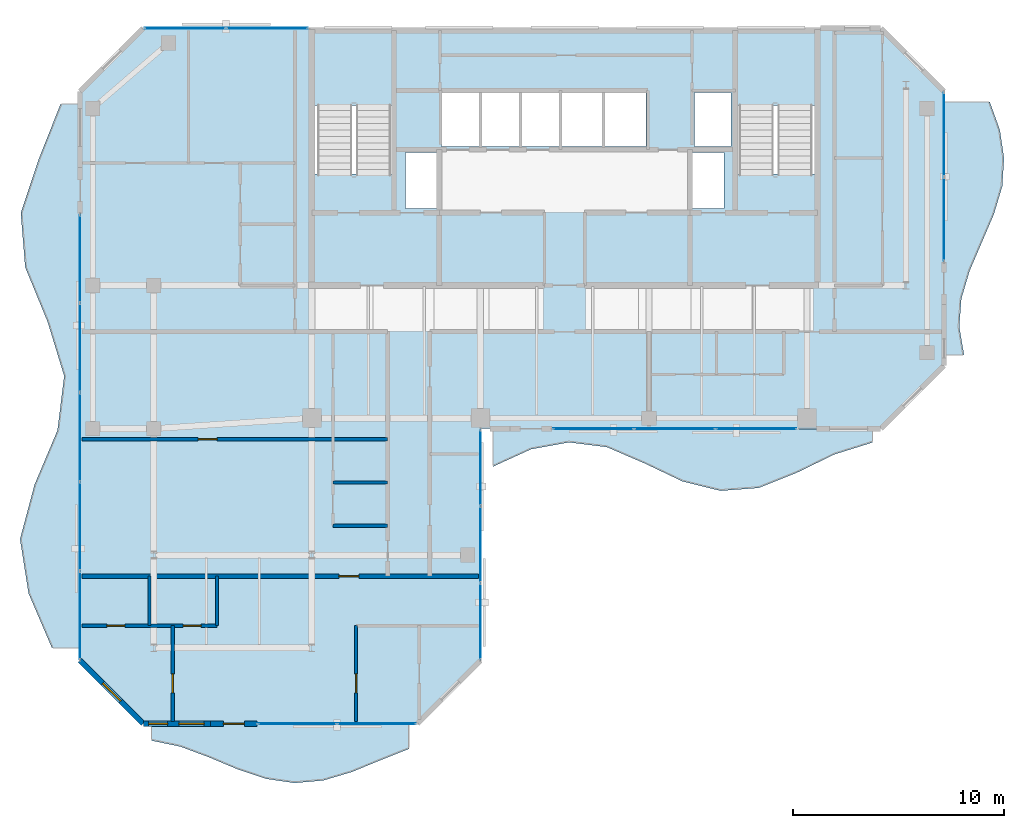
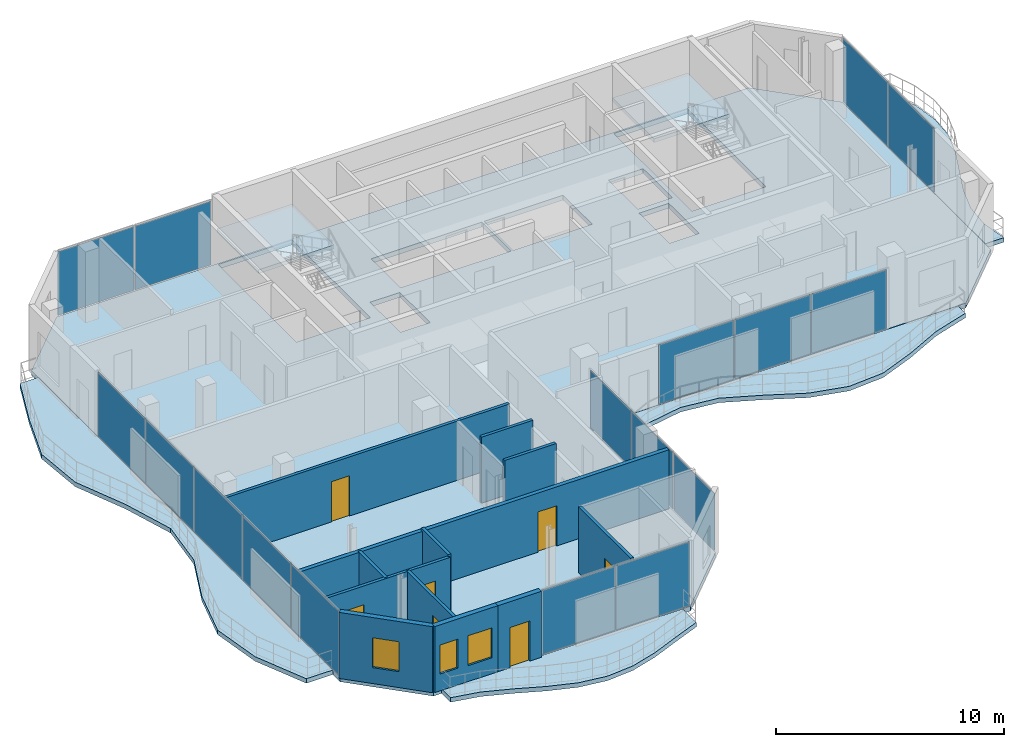
# One storey, part 17 of 22: 17 plates, 12 walls, 7 doors, 7 slabs, 3 windows, 10 openings, 8 elements without a shape of their own.
"""IFC4 building model written with IfcOpenShell, lengths in metres."""

from ifc_helpers import new_model, si_unit, direction, frame, frame_2d, origin, origin_2d, place, context, subcontext, project, spatial, polyline, rectangle, outline, extrude, material, layer, layer_set, type_object, element, fill, aggregate, save


model = new_model("IFC4")

# Units and contexts
model_context = context("Model", 3, precision=1e-05, world=origin(), true_north=direction((0.0, 1.0)))
body_context = subcontext(model_context, "Body", "Model", "MODEL_VIEW")
ifc_project = project(units=[si_unit("LENGTHUNIT", "METRE"), si_unit("AREAUNIT", "SQUARE_METRE"), si_unit("VOLUMEUNIT", "CUBIC_METRE"), si_unit("PLANEANGLEUNIT", "RADIAN"), si_unit("MASSUNIT", "GRAM", prefix="KILO")], contexts=[model_context])

# Site, building, storey
site_placement = place(None, origin())
site = spatial("IfcSite", under=ifc_project, at=site_placement, CompositionType="ELEMENT")
building_placement = place(site_placement, origin())
building = spatial("IfcBuilding", under=site, at=building_placement, Name="Catumbela Crestline Tower", CompositionType="ELEMENT")
storey_placement = place(building_placement, frame((0.0, 0.0, 256.4)))
storey = spatial("IfcBuildingStorey", under=building, at=storey_placement, Name="L66", CompositionType="ELEMENT", Elevation=256.4)

# Curtain wall, plates
ifc_material_1 = material(Name="Aluminium alloy AW-6060-T66", Category="aluminium")
ifc_layer_1 = layer(ifc_material_1, 0.18, Name="Aluminium alloy AW-6060-T66")
ifc_layer_set_1 = layer_set([ifc_layer_1], Name="Aluminium alloy AW-6060-T66")
curtain_wall_type = type_object("IfcCurtainWallType", Name="CWU-Z4", PredefinedType="USERDEFINED", material=ifc_layer_set_1)
curtain_wall_1_placement = place(storey_placement, origin())
curtain_wall_1 = element("IfcCurtainWall", 1, at=curtain_wall_1_placement, inside=storey, type_object=curtain_wall_type, Name="L66 Unitised Curtain Wall CW-L66-E0S2", ObjectType="UNITISED", PredefinedType="USERDEFINED")
ifc_material_2 = material(Name="Low-E laminated solar-control double glazing", Category="glass")
ifc_layer_2 = layer(ifc_material_2, 0.036, Name="Low-E laminated solar-control double glazing")
ifc_layer_set_2 = layer_set([ifc_layer_2], Name="Low-E laminated solar-control double glazing")
plate_type = type_object("IfcPlateType", Name="PNL-GLZ-Z4", PredefinedType="CURTAIN_PANEL", material=ifc_layer_set_2)
plate_1_placement = place(storey_placement, frame((15.3162, 10.0, 0.06), z_axis=(0.0, 0.0, 1.0), x_axis=(1.0, 0.0, 0.0)))
plate_1 = element("IfcPlate", 2, at=plate_1_placement, type_object=plate_type, Name="CWU-Z4 panel 1.1", PredefinedType="CURTAIN_PANEL", context=body_context, shape_type="SweptSolid", body=[
    extrude(rectangle(XDim=3.7025, YDim=0.034, at=origin_2d()), origin(), (0.0, 0.0, 1.0), 3.41),
])
plate_2_placement = place(storey_placement, frame((19.0837, 10.0, 0.06), z_axis=(0.0, 0.0, 1.0), x_axis=(1.0, 0.0, 0.0)))
plate_2 = element("IfcPlate", 3, at=plate_2_placement, type_object=plate_type, Name="CWU-Z4 panel 2.1", PredefinedType="CURTAIN_PANEL", context=body_context, shape_type="SweptSolid", body=[
    extrude(rectangle(XDim=3.7025, YDim=0.034, at=origin_2d()), origin(), (0.0, 0.0, 1.0), 3.41),
])
aggregate(curtain_wall_1, [plate_1, plate_2])

curtain_wall_2_placement = place(storey_placement, origin())
curtain_wall_2 = element("IfcCurtainWall", 4, at=curtain_wall_2_placement, inside=storey, type_object=curtain_wall_type, Name="L66 Unitised Curtain Wall CW-L66-E2S1", ObjectType="UNITISED", PredefinedType="USERDEFINED")
plate_3_placement = place(storey_placement, frame((24.0, 14.8496, 0.06), z_axis=(0.0, 0.0, 1.0), x_axis=(0.0, 1.0, 0.0)))
plate_3 = element("IfcPlate", 5, at=plate_3_placement, type_object=plate_type, Name="CWU-Z4 panel 1.1", PredefinedType="CURTAIN_PANEL", context=body_context, shape_type="SweptSolid", body=[
    extrude(rectangle(XDim=3.5692, YDim=0.034, at=origin_2d()), origin(), (0.0, 0.0, 1.0), 3.04),
])
plate_4_placement = place(storey_placement, frame((24.0, 18.5, 0.06), z_axis=(0.0, 0.0, 1.0), x_axis=(0.0, 1.0, 0.0)))
plate_4 = element("IfcPlate", 6, at=plate_4_placement, type_object=plate_type, Name="CWU-Z4 panel 2.1", PredefinedType="CURTAIN_PANEL", context=body_context, shape_type="SweptSolid", body=[
    extrude(rectangle(XDim=3.6017, YDim=0.034, at=origin_2d()), origin(), (0.0, 0.0, 1.0), 3.04),
])
plate_5_placement = place(storey_placement, frame((24.0, 22.1504, 0.06), z_axis=(0.0, 0.0, 1.0), x_axis=(0.0, 1.0, 0.0)))
plate_5 = element("IfcPlate", 7, at=plate_5_placement, type_object=plate_type, Name="CWU-Z4 panel 3.1", PredefinedType="CURTAIN_PANEL", context=body_context, shape_type="SweptSolid", body=[
    extrude(rectangle(XDim=3.5692, YDim=0.034, at=origin_2d()), origin(), (0.0, 0.0, 1.0), 3.04),
])
aggregate(curtain_wall_2, [plate_3, plate_4, plate_5])

curtain_wall_3_placement = place(storey_placement, origin())
curtain_wall_3 = element("IfcCurtainWall", 8, at=curtain_wall_3_placement, inside=storey, type_object=curtain_wall_type, Name="L66 Unitised Curtain Wall CW-L66-E3S2", ObjectType="UNITISED", PredefinedType="USERDEFINED")
plate_6_placement = place(storey_placement, frame((29.3579, 24.0, 0.06), z_axis=(0.0, 0.0, 1.0), x_axis=(1.0, 0.0, 0.0)))
plate_6 = element("IfcPlate", 9, at=plate_6_placement, type_object=plate_type, Name="CWU-Z4 panel 1.1", PredefinedType="CURTAIN_PANEL", context=body_context, shape_type="SweptSolid", body=[
    extrude(rectangle(XDim=3.7858, YDim=0.034, at=origin_2d()), origin(), (0.0, 0.0, 1.0), 3.15),
])
plate_7_placement = place(storey_placement, frame((33.225, 24.0, 0.06), z_axis=(0.0, 0.0, 1.0), x_axis=(1.0, 0.0, 0.0)))
plate_7 = element("IfcPlate", 10, at=plate_7_placement, type_object=plate_type, Name="CWU-Z4 panel 2.1", PredefinedType="CURTAIN_PANEL", context=body_context, shape_type="SweptSolid", body=[
    extrude(rectangle(XDim=3.8183, YDim=0.034, at=origin_2d()), origin(), (0.0, 0.0, 1.0), 3.15),
])
plate_8_placement = place(storey_placement, frame((37.0921, 24.0, 0.06), z_axis=(0.0, 0.0, 1.0), x_axis=(1.0, 0.0, 0.0)))
plate_8 = element("IfcPlate", 11, at=plate_8_placement, type_object=plate_type, Name="CWU-Z4 panel 3.1", PredefinedType="CURTAIN_PANEL", context=body_context, shape_type="SweptSolid", body=[
    extrude(rectangle(XDim=3.7858, YDim=0.034, at=origin_2d()), origin(), (0.0, 0.0, 1.0), 3.15),
])
aggregate(curtain_wall_3, [plate_6, plate_7, plate_8])

curtain_wall_4_placement = place(storey_placement, origin())
curtain_wall_4 = element("IfcCurtainWall", 12, at=curtain_wall_4_placement, inside=storey, type_object=curtain_wall_type, Name="L66 Unitised Curtain Wall CW-L66-E5S2", ObjectType="UNITISED", PredefinedType="USERDEFINED")
plate_9_placement = place(storey_placement, frame((46.0, 33.9412, 0.06), z_axis=(0.0, 0.0, 1.0), x_axis=(0.0, 1.0, 0.0)))
plate_9 = element("IfcPlate", 13, at=plate_9_placement, type_object=plate_type, Name="CWU-Z4 panel 1.1", PredefinedType="CURTAIN_PANEL", context=body_context, shape_type="SweptSolid", body=[
    extrude(rectangle(XDim=3.9525, YDim=0.034, at=origin_2d()), origin(), (0.0, 0.0, 1.0), 3.41),
])
plate_10_placement = place(storey_placement, frame((46.0, 37.9588, 0.06), z_axis=(0.0, 0.0, 1.0), x_axis=(0.0, 1.0, 0.0)))
plate_10 = element("IfcPlate", 14, at=plate_10_placement, type_object=plate_type, Name="CWU-Z4 panel 2.1", PredefinedType="CURTAIN_PANEL", context=body_context, shape_type="SweptSolid", body=[
    extrude(rectangle(XDim=3.9525, YDim=0.034, at=origin_2d()), origin(), (0.0, 0.0, 1.0), 3.41),
])
aggregate(curtain_wall_4, [plate_9, plate_10])

curtain_wall_5_placement = place(storey_placement, origin())
curtain_wall_5 = element("IfcCurtainWall", 15, at=curtain_wall_5_placement, inside=storey, type_object=curtain_wall_type, Name="L66 Unitised Curtain Wall CW-L66-E7S2", ObjectType="UNITISED", PredefinedType="USERDEFINED")
plate_11_placement = place(storey_placement, frame((13.8788, 43.0, 0.06), z_axis=(0.0, 0.0, 1.0), x_axis=(-1.0, 0.0, 0.0)))
plate_11 = element("IfcPlate", 16, at=plate_11_placement, type_object=plate_type, Name="CWU-Z4 panel 1.1", PredefinedType="CURTAIN_PANEL", context=body_context, shape_type="SweptSolid", body=[
    extrude(rectangle(XDim=3.8325, YDim=0.034, at=origin_2d()), origin(), (0.0, 0.0, 1.0), 3.41),
])
plate_12_placement = place(storey_placement, frame((9.9812, 43.0, 0.06), z_axis=(0.0, 0.0, 1.0), x_axis=(-1.0, 0.0, 0.0)))
plate_12 = element("IfcPlate", 17, at=plate_12_placement, type_object=plate_type, Name="CWU-Z4 panel 2.1", PredefinedType="CURTAIN_PANEL", context=body_context, shape_type="SweptSolid", body=[
    extrude(rectangle(XDim=3.8325, YDim=0.034, at=origin_2d()), origin(), (0.0, 0.0, 1.0), 3.41),
])
aggregate(curtain_wall_5, [plate_11, plate_12])

curtain_wall_6_placement = place(storey_placement, origin())
curtain_wall_6 = element("IfcCurtainWall", 18, at=curtain_wall_6_placement, inside=storey, type_object=curtain_wall_type, Name="L66 Unitised Curtain Wall CW-L66-E9S2", ObjectType="UNITISED", PredefinedType="USERDEFINED")
plate_13_placement = place(storey_placement, frame((5.0, 32.0638, 0.06), z_axis=(0.0, 0.0, 1.0), x_axis=(0.0, -1.0, 0.0)))
plate_13 = element("IfcPlate", 19, at=plate_13_placement, type_object=plate_type, Name="CWU-Z4 panel 1.1", PredefinedType="CURTAIN_PANEL", context=body_context, shape_type="SweptSolid", body=[
    extrude(rectangle(XDim=4.1425, YDim=0.034, at=origin_2d()), origin(), (0.0, 0.0, 1.0), 3.41),
])
plate_14_placement = place(storey_placement, frame((5.0, 27.84, 0.06), z_axis=(0.0, 0.0, 1.0), x_axis=(0.0, -1.0, 0.0)))
plate_14 = element("IfcPlate", 20, at=plate_14_placement, type_object=plate_type, Name="CWU-Z4 panel 2.1", PredefinedType="CURTAIN_PANEL", context=body_context, shape_type="SweptSolid", body=[
    extrude(rectangle(XDim=4.175, YDim=0.034, at=origin_2d()), origin(), (0.0, 0.0, 1.0), 3.41),
])
plate_15_placement = place(storey_placement, frame((5.0, 23.6, 0.06), z_axis=(0.0, 0.0, 1.0), x_axis=(0.0, -1.0, 0.0)))
plate_15 = element("IfcPlate", 21, at=plate_15_placement, type_object=plate_type, Name="CWU-Z4 panel 3.1", PredefinedType="CURTAIN_PANEL", context=body_context, shape_type="SweptSolid", body=[
    extrude(rectangle(XDim=4.175, YDim=0.034, at=origin_2d()), origin(), (0.0, 0.0, 1.0), 3.41),
])
plate_16_placement = place(storey_placement, frame((5.0, 19.36, 0.06), z_axis=(0.0, 0.0, 1.0), x_axis=(0.0, -1.0, 0.0)))
plate_16 = element("IfcPlate", 22, at=plate_16_placement, type_object=plate_type, Name="CWU-Z4 panel 4.1", PredefinedType="CURTAIN_PANEL", context=body_context, shape_type="SweptSolid", body=[
    extrude(rectangle(XDim=4.175, YDim=0.034, at=origin_2d()), origin(), (0.0, 0.0, 1.0), 3.41),
])
plate_17_placement = place(storey_placement, frame((5.0, 15.1362, 0.06), z_axis=(0.0, 0.0, 1.0), x_axis=(0.0, -1.0, 0.0)))
plate_17 = element("IfcPlate", 23, at=plate_17_placement, type_object=plate_type, Name="CWU-Z4 panel 5.1", PredefinedType="CURTAIN_PANEL", context=body_context, shape_type="SweptSolid", body=[
    extrude(rectangle(XDim=4.1425, YDim=0.034, at=origin_2d()), origin(), (0.0, 0.0, 1.0), 3.41),
])
aggregate(curtain_wall_6, [plate_13, plate_14, plate_15, plate_16, plate_17])

# Stair, slab
ifc_material_3 = material(Name="Concrete C45/55", Category="concrete")
stair_type = type_object("IfcStairType", Name="ST-DLG", PredefinedType="HALF_TURN_STAIR", material=ifc_material_3)
stair_1_placement = place(storey_placement, origin())
stair_1 = element("IfcStair", 24, at=stair_1_placement, inside=storey, type_object=stair_type, Name="L66 West Core Pressurised Exit Stair ST-01", PredefinedType="HALF_TURN_STAIR")
ifc_layer_3 = layer(ifc_material_3, 0.2, Name="Concrete C45/55")
ifc_layer_set_3 = layer_set([ifc_layer_3], Name="Concrete C45/55")
slab_type_1 = type_object("IfcSlabType", Name="SL-LND", PredefinedType="LANDING", material=ifc_layer_set_3)
slab_1_placement = place(storey_placement, frame((0.0, 0.0, 1.7)))
slab_1 = element("IfcSlab", 25, at=slab_1_placement, type_object=slab_type_1, Name="ST-01 landing 1", PredefinedType="LANDING", context=body_context, shape_type="SweptSolid", body=[
    extrude(outline(polyline([(19.91, 39.33), (19.91, 42.96), (16.09, 42.96), (16.09, 39.33), (19.91, 39.33)])), origin(), (0.0, 0.0, 1.0), 0.2),
])
aggregate(stair_1, [slab_1])

stair_2_placement = place(storey_placement, origin())
stair_2 = element("IfcStair", 26, at=stair_2_placement, inside=storey, type_object=stair_type, Name="L66 East Core Pressurised Exit Stair ST-02", PredefinedType="HALF_TURN_STAIR")
slab_2_placement = place(storey_placement, frame((0.0, 0.0, 1.7)))
slab_2 = element("IfcSlab", 27, at=slab_2_placement, type_object=slab_type_1, Name="ST-02 landing 1", PredefinedType="LANDING", context=body_context, shape_type="SweptSolid", body=[
    extrude(outline(polyline([(39.91, 39.33), (39.91, 42.96), (36.09, 42.96), (36.09, 39.33), (39.91, 39.33)])), origin(), (0.0, 0.0, 1.0), 0.2),
])
aggregate(stair_2, [slab_2])

# Slabs
ifc_layer_4 = layer(ifc_material_3, 0.26, Name="Concrete C45/55")
ifc_layer_set_4 = layer_set([ifc_layer_4], Name="Concrete C45/55")
slab_type_2 = type_object("IfcSlabType", Name="SL-260", PredefinedType="FLOOR", material=ifc_layer_set_4)
slab_3_placement = place(storey_placement, frame((0.0, 0.0, -0.26)))
element("IfcSlab", 28, at=slab_3_placement, inside=storey, type_object=slab_type_2, Name="L66 Structural Floor Slab", PredefinedType="FLOOR", context=body_context, shape_type="SweptSolid", body=[
    extrude(outline(polyline([(8.0, 10.0), (21.0, 10.0), (24.0, 13.0), (24.0, 24.0), (43.0, 24.0), (46.0, 27.0), (46.0, 40.0), (43.0, 43.0), (8.0, 43.0), (5.0, 40.0), (5.0, 13.0), (8.0, 10.0)]), holes=[polyline([(16.13, 36.08), (19.87, 36.08), (19.87, 42.92), (16.13, 42.92), (16.13, 36.08)]), polyline([(36.13, 36.08), (39.87, 36.08), (39.87, 42.92), (36.13, 42.92), (36.13, 36.08)]), polyline([(22.15, 37.4), (27.75, 37.4), (27.75, 39.95), (22.15, 39.95), (22.15, 37.4)]), polyline([(27.85, 37.4), (31.85, 37.4), (31.85, 39.95), (27.85, 39.95), (27.85, 37.4)]), polyline([(20.45, 34.45), (21.95, 34.45), (21.95, 37.1), (20.45, 37.1), (20.45, 34.45)]), polyline([(34.05, 34.45), (35.55, 34.45), (35.55, 37.1), (34.05, 37.1), (34.05, 34.45)]), polyline([(34.15, 37.4), (35.9, 37.4), (35.9, 39.95), (34.15, 39.95), (34.15, 37.4)])]), origin(), (0.0, 0.0, 1.0), 0.26),
])
ifc_layer_5 = layer(ifc_material_3, 0.24, Name="Concrete C45/55")
ifc_layer_set_5 = layer_set([ifc_layer_5], Name="Concrete C45/55")
slab_type_3 = type_object("IfcSlabType", Name="SB-240W", PredefinedType="USERDEFINED", material=ifc_layer_set_5)
slab_4_placement = place(storey_placement, frame((0.0, 0.0, -0.24)))
element("IfcSlab", 29, at=slab_4_placement, inside=storey, type_object=slab_type_3, Name="L66 Cantilevered Wave Balcony Slab SPINE-S", ObjectType="BALCONY", PredefinedType="USERDEFINED", context=body_context, shape_type="SweptSolid", body=[
    extrude(outline(polyline([(24.6, 22.2), (26.4, 23.0215), (28.2, 23.35), (30.0, 23.1246), (31.8, 22.3504), (33.6, 21.4947), (35.4, 21.05), (37.2, 21.1868), (39.0, 21.9016), (40.8, 22.7781), (42.6, 23.3413), (42.6, 23.99), (24.6, 23.99), (24.6, 22.2)])), origin(), (0.0, 0.0, 1.0), 0.24),
])
slab_5_placement = place(storey_placement, frame((0.0, 0.0, -0.24)))
element("IfcSlab", 30, at=slab_5_placement, inside=storey, type_object=slab_type_3, Name="L66 Cantilevered Wave Balcony Slab SPINE-E", ObjectType="BALCONY", PredefinedType="USERDEFINED", context=body_context, shape_type="SweptSolid", body=[
    extrude(outline(polyline([(46.01, 27.5), (46.954, 27.5), (46.7268, 28.8333), (46.8257, 30.1667), (47.2208, 31.5), (47.7918, 32.8333), (48.3654, 34.1667), (48.7671, 35.5), (48.85, 36.8333), (48.6561, 38.1667), (48.1771, 39.5), (46.01, 39.5), (46.01, 27.5)])), origin(), (0.0, 0.0, 1.0), 0.24),
])
slab_6_placement = place(storey_placement, frame((0.0, 0.0, -0.24)))
element("IfcSlab", 31, at=slab_6_placement, inside=storey, type_object=slab_type_3, Name="L66 Cantilevered Wave Balcony Slab WING-S", ObjectType="BALCONY", PredefinedType="USERDEFINED", context=body_context, shape_type="SweptSolid", body=[
    extrude(outline(polyline([(8.4, 9.1933), (9.7556, 8.9128), (11.1111, 8.4086), (12.4667, 7.8389), (13.8222, 7.3826), (15.1778, 7.1827), (16.5333, 7.3022), (17.8889, 7.7034), (19.2444, 8.2605), (20.6, 8.7986), (20.6, 9.99), (8.4, 9.99), (8.4, 9.1933)])), origin(), (0.0, 0.0, 1.0), 0.24),
])
slab_7_placement = place(storey_placement, frame((0.0, 0.0, -0.24)))
element("IfcSlab", 32, at=slab_7_placement, inside=storey, type_object=slab_type_3, Name="L66 Cantilevered Wave Balcony Slab WEST", ObjectType="BALCONY", PredefinedType="USERDEFINED", context=body_context, shape_type="SweptSolid", body=[
    extrude(outline(polyline([(4.99, 39.4), (4.0726, 39.4), (3.0493, 36.82), (2.1855, 34.24), (2.3957, 31.66), (3.4573, 29.08), (4.2465, 26.5), (3.9279, 23.92), (2.8388, 21.34), (2.15, 18.76), (2.5558, 16.18), (3.6616, 13.6), (4.99, 13.6), (4.99, 39.4)])), origin(), (0.0, 0.0, 1.0), 0.24),
])

# Wall, opening, door
ifc_material_4 = material(Name="Angolan grey-ochre granite", Category="masonry")
ifc_layer_6 = layer(ifc_material_4, 0.25, Name="Angolan grey-ochre granite")
ifc_layer_set_6 = layer_set([ifc_layer_6], Name="Angolan grey-ochre granite")
wall_type_1 = type_object("IfcWallType", Name="WE-250", PredefinedType="STANDARD", material=ifc_layer_set_6)
wall_1_placement = place(storey_placement, frame((11.2, 10.0, 0.0), z_axis=(0.0, 0.0, 1.0), x_axis=(1.0, 0.0, 0.0)))
wall_1 = element("IfcWall", 33, at=wall_1_placement, inside=storey, type_object=wall_type_1, Name="L66 Exterior Threshold Portal Wall DR-L66-WBAL-3", PredefinedType="STANDARD", context=body_context, shape_type="SweptSolid", body=[
    extrude(rectangle(XDim=2.2, YDim=0.25, at=frame_2d((1.1, 0.0))), origin(), (0.0, 0.0, 1.0), 3.53),
])
opening_1_placement = place(wall_1_placement, frame((0.6, 0.0, 0.0)))
opening_1 = element("IfcOpeningElement", 34, at=opening_1_placement, cuts=wall_1, Name="Opening DB-L66-3", PredefinedType="OPENING", context=body_context, shape_type="SweptSolid", body=[
    extrude(rectangle(XDim=1.0, YDim=2.15, at=frame_2d((0.5, 1.075))), frame((0.0, 0.135, 0.0), z_axis=(0.0, -1.0, 0.0), x_axis=(1.0, 0.0, 0.0)), (0.0, 0.0, 1.0), 0.27),
])
door_type_1 = type_object("IfcDoorType", Name="DB-1000", OperationType="NOTDEFINED", PredefinedType="DOOR", material=ifc_material_1)
door_1_placement = place(opening_1_placement, origin())
door_1 = element("IfcDoor", 35, at=door_1_placement, inside=storey, type_object=door_type_1, Name="L66 Wave Balcony Terrace Door 3", OperationType="SINGLE_SWING_RIGHT", OverallHeight=2.15, OverallWidth=1.0, PredefinedType="DOOR", context=body_context, shape_type="SweptSolid", body=[
    extrude(rectangle(XDim=1.0, YDim=2.15, at=frame_2d((0.5, 1.075))), frame((0.0, 0.025, 0.0), z_axis=(0.0, -1.0, 0.0), x_axis=(1.0, 0.0, 0.0)), (0.0, 0.0, 1.0), 0.05),
])
fill(opening_1, door_1)

# Wall, openings, windows
wall_2_placement = place(storey_placement, frame((8.0, 10.0, 0.0), z_axis=(0.0, 0.0, 1.0), x_axis=(1.0, 0.0, 0.0)))
wall_2 = element("IfcWall", 36, at=wall_2_placement, inside=storey, type_object=wall_type_1, Name="L66 Granite Punched Window Wall 0-1", PredefinedType="STANDARD", context=body_context, shape_type="SweptSolid", body=[
    extrude(rectangle(XDim=3.2, YDim=0.25, at=frame_2d((1.6, 0.0))), origin(), (0.0, 0.0, 1.0), 3.53),
])
opening_2_placement = place(wall_2_placement, frame((0.26, 0.0, 0.9)))
opening_2 = element("IfcOpeningElement", 37, at=opening_2_placement, cuts=wall_2, Name="Opening WN-03", PredefinedType="OPENING", context=body_context, shape_type="SweptSolid", body=[
    extrude(rectangle(XDim=0.9, YDim=1.55, at=frame_2d((0.45, 0.775))), frame((0.0, 0.135, 0.0), z_axis=(0.0, -1.0, 0.0), x_axis=(1.0, 0.0, 0.0)), (0.0, 0.0, 1.0), 0.27),
])
opening_3_placement = place(wall_2_placement, frame((1.69, 0.0, 0.85)))
opening_3 = element("IfcOpeningElement", 38, at=opening_3_placement, cuts=wall_2, Name="Opening WN-02", PredefinedType="OPENING", context=body_context, shape_type="SweptSolid", body=[
    extrude(rectangle(XDim=1.2, YDim=1.6, at=frame_2d((0.6, 0.8))), frame((0.0, 0.135, 0.0), z_axis=(0.0, -1.0, 0.0), x_axis=(1.0, 0.0, 0.0)), (0.0, 0.0, 1.0), 0.27),
])
window_type_1 = type_object("IfcWindowType", Name="WO-0900", PartitioningType="SINGLE_PANEL", PredefinedType="WINDOW", material=ifc_material_2)
window_1_placement = place(opening_2_placement, origin())
window_1 = element("IfcWindow", 39, at=window_1_placement, inside=storey, type_object=window_type_1, Name="L66 Facade Vision Window 504", OverallHeight=1.55, OverallWidth=0.9, PartitioningType="SINGLE_PANEL", PredefinedType="WINDOW", context=body_context, shape_type="SweptSolid", body=[
    extrude(rectangle(XDim=0.9, YDim=1.55, at=frame_2d((0.45, 0.775))), frame((0.0, 0.03, 0.0), z_axis=(0.0, -1.0, 0.0), x_axis=(1.0, 0.0, 0.0)), (0.0, 0.0, 1.0), 0.06),
])
fill(opening_2, window_1)
window_type_2 = type_object("IfcWindowType", Name="WO-1200", PartitioningType="SINGLE_PANEL", PredefinedType="WINDOW", material=ifc_material_2)
window_2_placement = place(opening_3_placement, origin())
window_2 = element("IfcWindow", 40, at=window_2_placement, inside=storey, type_object=window_type_2, Name="L66 Facade Vision Window 505", OverallHeight=1.6, OverallWidth=1.2, PartitioningType="SINGLE_PANEL", PredefinedType="WINDOW", context=body_context, shape_type="SweptSolid", body=[
    extrude(rectangle(XDim=1.2, YDim=1.6, at=frame_2d((0.6, 0.8))), frame((0.0, 0.03, 0.0), z_axis=(0.0, -1.0, 0.0), x_axis=(1.0, 0.0, 0.0)), (0.0, 0.0, 1.0), 0.06),
])
fill(opening_3, window_2)

# Wall, opening, window
wall_3_placement = place(storey_placement, frame((5.0, 13.0, 0.0), z_axis=(0.0, 0.0, 1.0), x_axis=(0.707106781187, -0.707106781187, 0.0)))
wall_3 = element("IfcWall", 41, at=wall_3_placement, inside=storey, type_object=wall_type_1, Name="L66 Granite Punched Window Wall 10-1", PredefinedType="STANDARD", context=body_context, shape_type="SweptSolid", body=[
    extrude(rectangle(XDim=4.2426, YDim=0.25, at=frame_2d((2.1213, 0.0))), origin(), (0.0, 0.0, 1.0), 3.53),
])
opening_4_placement = place(wall_3_placement, frame((1.5213, 0.0, 0.85)))
opening_4 = element("IfcOpeningElement", 42, at=opening_4_placement, cuts=wall_3, Name="Opening WN-02", PredefinedType="OPENING", context=body_context, shape_type="SweptSolid", body=[
    extrude(rectangle(XDim=1.2, YDim=1.6, at=frame_2d((0.6, 0.8))), frame((0.0, 0.135, 0.0), z_axis=(0.0, -1.0, 0.0), x_axis=(1.0, 0.0, 0.0)), (0.0, 0.0, 1.0), 0.27),
])
window_3_placement = place(opening_4_placement, origin())
window_3 = element("IfcWindow", 43, at=window_3_placement, inside=storey, type_object=window_type_2, Name="L66 Facade Vision Window 514", OverallHeight=1.6, OverallWidth=1.2, PartitioningType="SINGLE_PANEL", PredefinedType="WINDOW", context=body_context, shape_type="SweptSolid", body=[
    extrude(rectangle(XDim=1.2, YDim=1.6, at=frame_2d((0.6, 0.8))), frame((0.0, 0.03, 0.0), z_axis=(0.0, -1.0, 0.0), x_axis=(1.0, 0.0, 0.0)), (0.0, 0.0, 1.0), 0.06),
])
fill(opening_4, window_3)

# Walls
ifc_material_5 = material(Name="Acoustic gypsum and mineral-wool partition")
ifc_layer_7 = layer(ifc_material_5, 0.15, Name="Acoustic gypsum and mineral-wool partition")
ifc_layer_set_7 = layer_set([ifc_layer_7], Name="Acoustic gypsum and mineral-wool partition")
wall_type_2 = type_object("IfcWallType", Name="WP-150", PredefinedType="PARTITIONING", material=ifc_layer_set_7)
for number, where, z_axis, x_axis, name in (
    (44, (17.0, 19.396, 0.0), (0.0, 0.0, 1.0), (1.0, 0.0, 0.0), "L66 Interior Partition PW-L66-WL1-KBS"),
    (45, (17.0, 21.446, 0.0), (0.0, 0.0, 1.0), (1.0, 0.0, 0.0), "L66 Interior Partition PW-L66-WL1-KBM"),
):
    element("IfcWall", number, at=place(storey_placement, frame(where, z_axis=z_axis, x_axis=x_axis)), inside=storey, type_object=wall_type_2, Name=name, PredefinedType="PARTITIONING", context=body_context, shape_type="SweptSolid", body=[
        extrude(rectangle(XDim=2.6, YDim=0.15, at=frame_2d((1.3, 0.0))), origin(), (0.0, 0.0, 1.0), 3.53),
    ])

# Wall, opening, door
wall_4_placement = place(storey_placement, frame((5.1, 23.496, 0.0), z_axis=(0.0, 0.0, 1.0), x_axis=(1.0, 0.0, 0.0)))
wall_4 = element("IfcWall", 46, at=wall_4_placement, inside=storey, type_object=wall_type_2, Name="L66 Interior Partition PW-L66-WL1-KBN", PredefinedType="PARTITIONING", context=body_context, shape_type="SweptSolid", body=[
    extrude(rectangle(XDim=14.5, YDim=0.15, at=frame_2d((7.25, 0.0))), origin(), (0.0, 0.0, 1.0), 3.16),
])
opening_5_placement = place(wall_4_placement, frame((5.5, 0.0, 0.0)))
opening_5 = element("IfcOpeningElement", 47, at=opening_5_placement, cuts=wall_4, Name="Opening DI-090", PredefinedType="OPENING", context=body_context, shape_type="SweptSolid", body=[
    extrude(rectangle(XDim=0.9, YDim=2.15, at=frame_2d((0.45, 1.075))), frame((0.0, 0.085, 0.0), z_axis=(0.0, -1.0, 0.0), x_axis=(1.0, 0.0, 0.0)), (0.0, 0.0, 1.0), 0.17),
])
door_type_2 = type_object("IfcDoorType", Name="DI-090", OperationType="NOTDEFINED", PredefinedType="DOOR", material=ifc_material_1)
door_2_placement = place(opening_5_placement, origin())
door_2 = element("IfcDoor", 48, at=door_2_placement, inside=storey, type_object=door_type_2, Name="L66 Interior Door DR-L66-WL1-BD1", OperationType="SINGLE_SWING_LEFT", OverallHeight=2.15, OverallWidth=0.9, PredefinedType="DOOR", context=body_context, shape_type="SweptSolid", body=[
    extrude(rectangle(XDim=0.9, YDim=2.15, at=frame_2d((0.45, 1.075))), frame((0.0, 0.025, 0.0), z_axis=(0.0, -1.0, 0.0), x_axis=(1.0, 0.0, 0.0)), (0.0, 0.0, 1.0), 0.05),
])
fill(opening_5, door_2)

# Walls
wall_5_placement = place(storey_placement, frame((11.5, 14.65, 0.0), z_axis=(0.0, 0.0, 1.0), x_axis=(0.0, 1.0, 0.0)))
element("IfcWall", 49, at=wall_5_placement, inside=storey, type_object=wall_type_2, Name="L66 Interior Partition PW-L66-SH1-KBE", PredefinedType="PARTITIONING", context=body_context, shape_type="SweptSolid", body=[
    extrude(rectangle(XDim=2.35, YDim=0.15, at=frame_2d((1.175, 0.0))), origin(), (0.0, 0.0, 1.0), 3.28),
])
wall_6_placement = place(storey_placement, frame((8.3, 14.65, 0.0), z_axis=(0.0, 0.0, 1.0), x_axis=(0.0, 1.0, 0.0)))
element("IfcWall", 50, at=wall_6_placement, inside=storey, type_object=wall_type_2, Name="L66 Interior Partition PW-L66-SH1-KBM", PredefinedType="PARTITIONING", context=body_context, shape_type="SweptSolid", body=[
    extrude(rectangle(XDim=2.35, YDim=0.15, at=frame_2d((1.175, 0.0))), origin(), (0.0, 0.0, 1.0), 3.16),
])

# Wall, openings, doors
wall_7_placement = place(storey_placement, frame((5.1, 14.65, 0.0), z_axis=(0.0, 0.0, 1.0), x_axis=(1.0, 0.0, 0.0)))
wall_7 = element("IfcWall", 51, at=wall_7_placement, inside=storey, type_object=wall_type_2, Name="L66 Interior Partition PW-L66-SH1-KBD1", PredefinedType="PARTITIONING", context=body_context, shape_type="SweptSolid", body=[
    extrude(rectangle(XDim=6.4, YDim=0.15, at=frame_2d((3.2, 0.0))), origin(), (0.0, 0.0, 1.0), 3.16),
])
opening_6_placement = place(wall_7_placement, frame((1.175, 0.0, 0.0)))
opening_6 = element("IfcOpeningElement", 52, at=opening_6_placement, cuts=wall_7, Name="Opening DI-085", PredefinedType="OPENING", context=body_context, shape_type="SweptSolid", body=[
    extrude(rectangle(XDim=0.85, YDim=2.15, at=frame_2d((0.425, 1.075))), frame((0.0, 0.085, 0.0), z_axis=(0.0, -1.0, 0.0), x_axis=(1.0, 0.0, 0.0)), (0.0, 0.0, 1.0), 0.17),
])
opening_7_placement = place(wall_7_placement, frame((4.7968, 0.0, 0.0)))
opening_7 = element("IfcOpeningElement", 53, at=opening_7_placement, cuts=wall_7, Name="Opening DI-085", PredefinedType="OPENING", context=body_context, shape_type="SweptSolid", body=[
    extrude(rectangle(XDim=0.85, YDim=2.15, at=frame_2d((0.425, 1.075))), frame((0.0, 0.085, 0.0), z_axis=(0.0, -1.0, 0.0), x_axis=(1.0, 0.0, 0.0)), (0.0, 0.0, 1.0), 0.17),
])
door_type_3 = type_object("IfcDoorType", Name="DI-085", OperationType="NOTDEFINED", PredefinedType="DOOR", material=ifc_material_1)
door_3_placement = place(opening_6_placement, origin())
door_3 = element("IfcDoor", 54, at=door_3_placement, inside=storey, type_object=door_type_3, Name="L66 Interior Door DR-L66-SH1-KIT", OperationType="SINGLE_SWING_LEFT", OverallHeight=2.15, OverallWidth=0.85, PredefinedType="DOOR", context=body_context, shape_type="SweptSolid", body=[
    extrude(rectangle(XDim=0.85, YDim=2.15, at=frame_2d((0.425, 1.075))), frame((0.0, 0.025, 0.0), z_axis=(0.0, -1.0, 0.0), x_axis=(1.0, 0.0, 0.0)), (0.0, 0.0, 1.0), 0.05),
])
fill(opening_6, door_3)
door_4_placement = place(opening_7_placement, origin())
door_4 = element("IfcDoor", 55, at=door_4_placement, inside=storey, type_object=door_type_3, Name="L66 Interior Door DR-L66-SH1-BTH", OperationType="SINGLE_SWING_RIGHT", OverallHeight=2.15, OverallWidth=0.85, PredefinedType="DOOR", context=body_context, shape_type="SweptSolid", body=[
    extrude(rectangle(XDim=0.85, YDim=2.15, at=frame_2d((0.425, 1.075))), frame((0.0, 0.025, 0.0), z_axis=(0.0, -1.0, 0.0), x_axis=(1.0, 0.0, 0.0)), (0.0, 0.0, 1.0), 0.05),
])
fill(opening_7, door_4)

# Wall, opening, door
wall_8_placement = place(storey_placement, frame((9.4, 10.1, 0.0), z_axis=(0.0, 0.0, 1.0), x_axis=(0.0, 1.0, 0.0)))
wall_8 = element("IfcWall", 56, at=wall_8_placement, inside=storey, type_object=wall_type_2, Name="L66 Interior Partition PW-L66-SH1-BDL", PredefinedType="PARTITIONING", context=body_context, shape_type="SweptSolid", body=[
    extrude(rectangle(XDim=4.55, YDim=0.15, at=frame_2d((2.275, 0.0))), origin(), (0.0, 0.0, 1.0), 3.16),
])
opening_8_placement = place(wall_8_placement, frame((1.3648, 0.0, 0.0)))
opening_8 = element("IfcOpeningElement", 57, at=opening_8_placement, cuts=wall_8, Name="Opening DI-090", PredefinedType="OPENING", context=body_context, shape_type="SweptSolid", body=[
    extrude(rectangle(XDim=0.9, YDim=2.15, at=frame_2d((0.45, 1.075))), frame((0.0, 0.085, 0.0), z_axis=(0.0, -1.0, 0.0), x_axis=(1.0, 0.0, 0.0)), (0.0, 0.0, 1.0), 0.17),
])
door_5_placement = place(opening_8_placement, origin())
door_5 = element("IfcDoor", 58, at=door_5_placement, inside=storey, type_object=door_type_2, Name="L66 Interior Door DR-L66-SH1-BD1", OperationType="SINGLE_SWING_LEFT", OverallHeight=2.15, OverallWidth=0.9, PredefinedType="DOOR", context=body_context, shape_type="SweptSolid", body=[
    extrude(rectangle(XDim=0.9, YDim=2.15, at=frame_2d((0.45, 1.075))), frame((0.0, 0.025, 0.0), z_axis=(0.0, -1.0, 0.0), x_axis=(1.0, 0.0, 0.0)), (0.0, 0.0, 1.0), 0.05),
])
fill(opening_8, door_5)

wall_9_placement = place(storey_placement, frame((18.1, 10.1, 0.0), z_axis=(0.0, 0.0, 1.0), x_axis=(0.0, 1.0, 0.0)))
wall_9 = element("IfcWall", 59, at=wall_9_placement, inside=storey, type_object=wall_type_2, Name="L66 Interior Partition PW-L66-SH1-STW", PredefinedType="PARTITIONING", context=body_context, shape_type="SweptSolid", body=[
    extrude(rectangle(XDim=4.55, YDim=0.15, at=frame_2d((2.275, 0.0))), origin(), (0.0, 0.0, 1.0), 3.53),
])
opening_9_placement = place(wall_9_placement, frame((1.3648, 0.0, 0.0)))
opening_9 = element("IfcOpeningElement", 60, at=opening_9_placement, cuts=wall_9, Name="Opening DI-090", PredefinedType="OPENING", context=body_context, shape_type="SweptSolid", body=[
    extrude(rectangle(XDim=0.9, YDim=2.15, at=frame_2d((0.45, 1.075))), frame((0.0, 0.085, 0.0), z_axis=(0.0, -1.0, 0.0), x_axis=(1.0, 0.0, 0.0)), (0.0, 0.0, 1.0), 0.17),
])
door_6_placement = place(opening_9_placement, origin())
door_6 = element("IfcDoor", 61, at=door_6_placement, inside=storey, type_object=door_type_2, Name="L66 Interior Door DR-L66-SH1-STDY", OperationType="SINGLE_SWING_RIGHT", OverallHeight=2.15, OverallWidth=0.9, PredefinedType="DOOR", context=body_context, shape_type="SweptSolid", body=[
    extrude(rectangle(XDim=0.9, YDim=2.15, at=frame_2d((0.45, 1.075))), frame((0.0, 0.025, 0.0), z_axis=(0.0, -1.0, 0.0), x_axis=(1.0, 0.0, 0.0)), (0.0, 0.0, 1.0), 0.05),
])
fill(opening_9, door_6)

ifc_layer_8 = layer(ifc_material_5, 0.2, Name="Acoustic gypsum and mineral-wool partition")
ifc_layer_set_8 = layer_set([ifc_layer_8], Name="Acoustic gypsum and mineral-wool partition")
wall_type_3 = type_object("IfcWallType", Name="WY-200", PredefinedType="PARTITIONING", material=ifc_layer_set_8)
wall_10_placement = place(storey_placement, frame((5.1, 17.0, 0.0), z_axis=(0.0, 0.0, 1.0), x_axis=(1.0, 0.0, 0.0)))
wall_10 = element("IfcWall", 62, at=wall_10_placement, inside=storey, type_object=wall_type_3, Name="L66 Interior Partition PW-L66-SH-WL", PredefinedType="PARTITIONING", context=body_context, shape_type="SweptSolid", body=[
    extrude(rectangle(XDim=18.8, YDim=0.2, at=frame_2d((9.4, 0.0))), origin(), (0.0, 0.0, 1.0), 3.16),
])
opening_10_placement = place(wall_10_placement, frame((12.1791, 0.0, 0.0)))
opening_10 = element("IfcOpeningElement", 63, at=opening_10_placement, cuts=wall_10, Name="Opening DF6-095", PredefinedType="OPENING", context=body_context, shape_type="SweptSolid", body=[
    extrude(rectangle(XDim=0.95, YDim=2.15, at=frame_2d((0.475, 1.075))), frame((0.0, 0.11, 0.0), z_axis=(0.0, -1.0, 0.0), x_axis=(1.0, 0.0, 0.0)), (0.0, 0.0, 1.0), 0.22),
])
door_type_4 = type_object("IfcDoorType", Name="DF6-095", OperationType="NOTDEFINED", PredefinedType="DOOR", material=ifc_material_1)
door_7_placement = place(opening_10_placement, origin())
door_7 = element("IfcDoor", 64, at=door_7_placement, inside=storey, type_object=door_type_4, Name="L66 Interior Door DR-L66-SH1-ENT", OperationType="SINGLE_SWING_RIGHT", OverallHeight=2.15, OverallWidth=0.95, PredefinedType="DOOR", context=body_context, shape_type="SweptSolid", body=[
    extrude(rectangle(XDim=0.95, YDim=2.15, at=frame_2d((0.475, 1.075))), frame((0.0, 0.025, 0.0), z_axis=(0.0, -1.0, 0.0), x_axis=(1.0, 0.0, 0.0)), (0.0, 0.0, 1.0), 0.05),
])
fill(opening_10, door_7)

save(model, "model.ifc")
